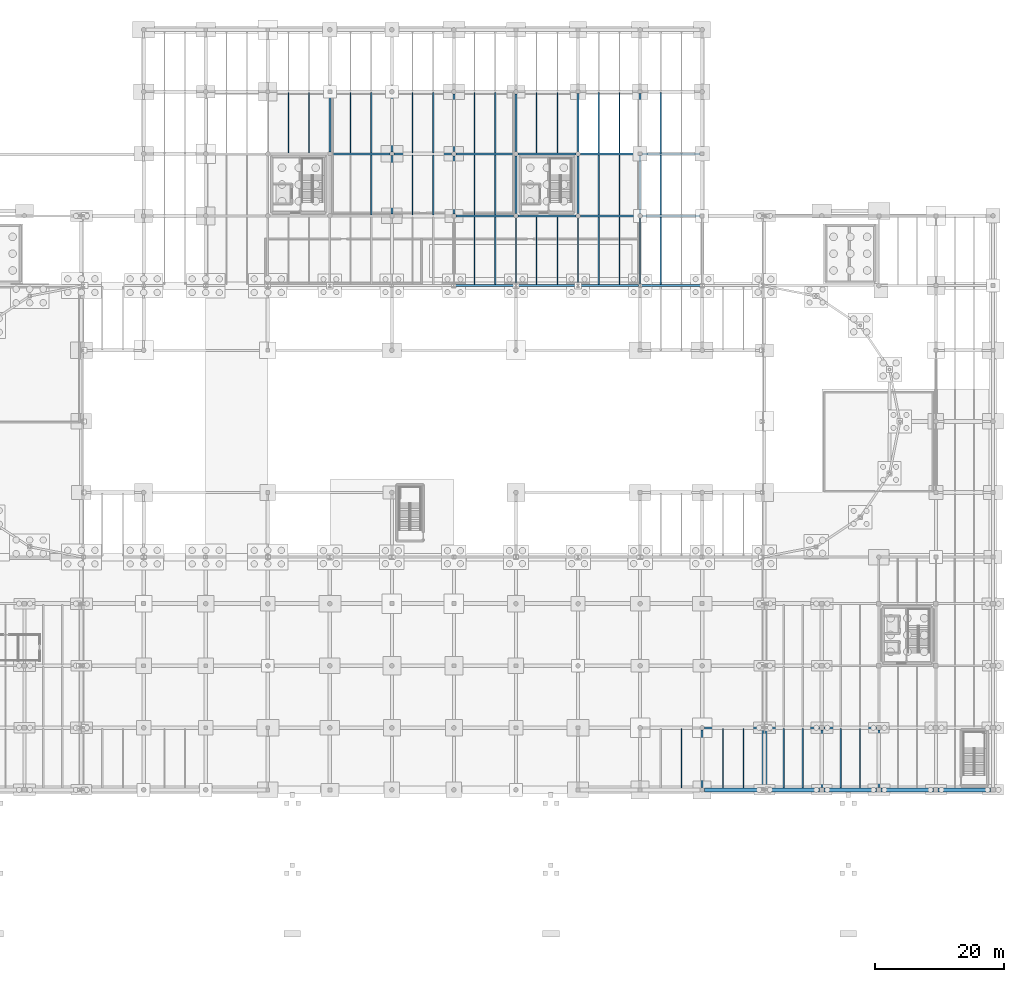
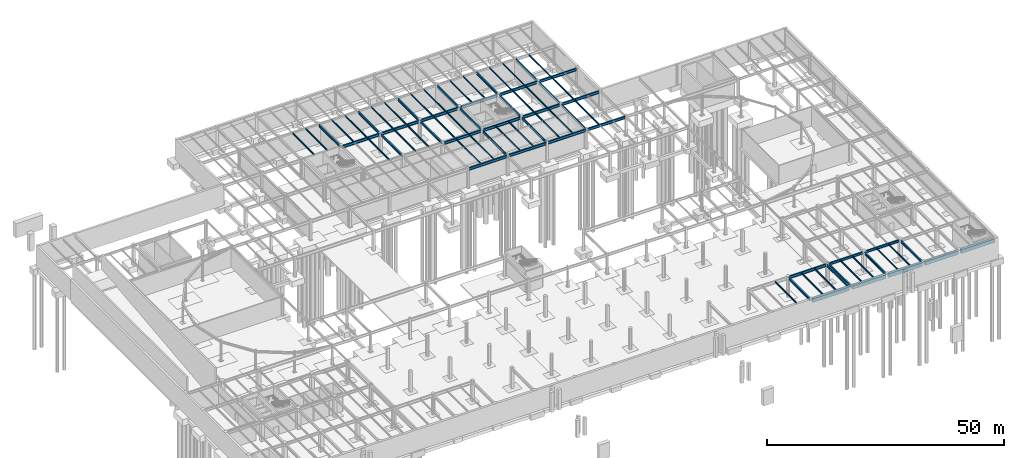
# One storey, part 34 of 50: 76 beams.
"""IFC4 building model written with IfcOpenShell, lengths in metres."""

from ifc_helpers import new_model, si_unit, direction, frame, origin, origin_2d, place, context, subcontext, project, spatial, rectangle, i_section, extrude, material, material_profile, profile_set, type_object, element, save


model = new_model("IFC4")

# Units and contexts
model_context = context("Model", 3, precision=1e-05, world=origin(), true_north=direction((0.0, 1.0)))
body_context = subcontext(model_context, "Body", "Model", "MODEL_VIEW")
ifc_project = project(units=[si_unit("LENGTHUNIT", "METRE"), si_unit("AREAUNIT", "SQUARE_METRE"), si_unit("VOLUMEUNIT", "CUBIC_METRE"), si_unit("PLANEANGLEUNIT", "RADIAN"), si_unit("MASSUNIT", "GRAM", prefix="KILO")], contexts=[model_context])

# Site, building, storey
site_placement = place(None, origin())
site = spatial("IfcSite", under=ifc_project, at=site_placement, CompositionType="ELEMENT")
building_placement = place(site_placement, origin())
building = spatial("IfcBuilding", under=site, at=building_placement, Name="Yeouljin Market Hall", CompositionType="ELEMENT")
storey_placement = place(building_placement, frame((0.0, 0.0, -5.39990234375)))
storey = spatial("IfcBuildingStorey", under=building, at=storey_placement, Name="B1", CompositionType="ELEMENT", Elevation=-5.39990234375)

# Beams
ifc_material_1 = material(Name="Steel SM355", Category="steel")
ifc_material_profile_1 = material_profile(ifc_material_1, i_section(OverallWidth=0.199951171875, OverallDepth=0.60009765625, WebThickness=0.010986328125, FlangeThickness=0.01708984375, FilletRadius=0.02197265625, at=origin_2d()), Name="H-600x200x11x17")
ifc_profile_set_1 = profile_set([ifc_material_profile_1], Name="Steel SM355")
beam_type_1 = type_object("IfcBeamType", Name="Beam_H-600x200x11x17", PredefinedType="BEAM", material=ifc_profile_set_1)
for number, where, z_axis, x_axis, name in (
    (1, (102.60009765625, 78.22509765625, 4.77978515625), (0.0, 1.0, 0.0), (-1.0, 0.0, 0.0), "Primary beam BM-L00-Y207"),
    (2, (112.199951171875, 78.22509765625, 4.77978515625), (0.0, 1.0, 0.0), (-1.0, 0.0, 0.0), "Primary beam BM-L00-Y212"),
    (3, (121.800048828125, 78.22509765625, 4.77978515625), (0.0, 1.0, 0.0), (-1.0, 0.0, 0.0), "Primary beam BM-L00-Y219"),
):
    element("IfcBeam", number, at=place(storey_placement, frame(where, z_axis=z_axis, x_axis=x_axis)), inside=storey, type_object=beam_type_1, Name=name, PredefinedType="BEAM", context=body_context, shape_type="SweptSolid", body=[
        extrude(i_section(OverallWidth=0.199951171875, OverallDepth=0.60009765625, WebThickness=0.010986328125, FlangeThickness=0.01708984375, FilletRadius=0.02197265625, at=origin_2d()), origin(), (0.0, 0.0, 1.0), 10.224853515625),
    ])
ifc_material_2 = material(Name="Steel SM355", Category="steel")
ifc_material_profile_2 = material_profile(ifc_material_2, i_section(OverallWidth=0.300048828125, OverallDepth=0.587890625, WebThickness=0.011962890625, FlangeThickness=0.02001953125, FilletRadius=0.02392578125, at=origin_2d()), Name="H-588x300x12x20")
ifc_profile_set_2 = profile_set([ifc_material_profile_2], Name="Steel SM355")
beam_type_2 = type_object("IfcBeamType", Name="Girder_H-588x300x12x20", PredefinedType="USERDEFINED", material=ifc_profile_set_2)
beam_1_placement = place(storey_placement, frame((141.445068359375, 9.60009765625, 4.85595703125), z_axis=(1.0, 0.0, 0.0), x_axis=(0.0, 1.0, 0.0)))
element("IfcBeam", 4, at=beam_1_placement, inside=storey, type_object=beam_type_2, Name="Primary girder GRD-L00-X023", ObjectType="GIRDER", PredefinedType="USERDEFINED", context=body_context, shape_type="SweptSolid", body=[
    extrude(i_section(OverallWidth=0.300048828125, OverallDepth=0.587890625, WebThickness=0.011962890625, FlangeThickness=0.02001953125, FilletRadius=0.02392578125, at=origin_2d()), origin(), (0.0, 0.0, 1.0), 8.114990234375),
])
beam_2_placement = place(storey_placement, frame((150.260009765625, 9.60009765625, 4.85595703125), z_axis=(1.0, 0.0, 0.0), x_axis=(0.0, 1.0, 0.0)))
element("IfcBeam", 5, at=beam_2_placement, inside=storey, type_object=beam_type_2, Name="Primary girder GRD-L00-X024", ObjectType="GIRDER", PredefinedType="USERDEFINED", context=body_context, shape_type="SweptSolid", body=[
    extrude(i_section(OverallWidth=0.300048828125, OverallDepth=0.587890625, WebThickness=0.011962890625, FlangeThickness=0.02001953125, FilletRadius=0.02392578125, at=origin_2d()), origin(), (0.0, 0.0, 1.0), 8.1298828125),
])
for number, where, z_axis, x_axis, name in (
    (6, (73.800048828125, 98.699951171875, 4.785888671875), (0.0, 1.0, 0.0), (-1.0, 0.0, 0.0), "Primary beam BM-L00-Y193"),
    (7, (83.39990234375, 89.10009765625, 4.785888671875), (0.0, 1.0, 0.0), (-1.0, 0.0, 0.0), "Primary beam BM-L00-Y198"),
):
    element("IfcBeam", number, at=place(storey_placement, frame(where, z_axis=z_axis, x_axis=x_axis)), inside=storey, type_object=beam_type_2, Name=name, ObjectType="GIRDER", PredefinedType="USERDEFINED", context=body_context, shape_type="SweptSolid", body=[
        extrude(i_section(OverallWidth=0.300048828125, OverallDepth=0.587890625, WebThickness=0.011962890625, FlangeThickness=0.02001953125, FilletRadius=0.02392578125, at=origin_2d()), origin(), (0.0, 0.0, 1.0), 9.0),
    ])
for number, where, z_axis, x_axis, name in (
    (8, (83.39990234375, 98.699951171875, 4.785888671875), (0.0, 1.0, 0.0), (-1.0, 0.0, 0.0), "Primary beam BM-L00-Y199"),
    (9, (93.0, 89.10009765625, 4.785888671875), (0.0, 1.0, 0.0), (-1.0, 0.0, 0.0), "Primary beam BM-L00-Y202"),
):
    element("IfcBeam", number, at=place(storey_placement, frame(where, z_axis=z_axis, x_axis=x_axis)), inside=storey, type_object=beam_type_2, Name=name, ObjectType="GIRDER", PredefinedType="USERDEFINED", context=body_context, shape_type="SweptSolid", body=[
        extrude(i_section(OverallWidth=0.300048828125, OverallDepth=0.587890625, WebThickness=0.011962890625, FlangeThickness=0.02001953125, FilletRadius=0.02392578125, at=origin_2d()), origin(), (0.0, 0.0, 1.0), 8.949951171875),
    ])
beam_3_placement = place(storey_placement, frame((93.0, 98.75, 4.785888671875), z_axis=(0.0, 1.0, 0.0), x_axis=(-1.0, 0.0, 0.0)))
element("IfcBeam", 10, at=beam_3_placement, inside=storey, type_object=beam_type_2, Name="Primary beam BM-L00-Y203", ObjectType="GIRDER", PredefinedType="USERDEFINED", context=body_context, shape_type="SweptSolid", body=[
    extrude(i_section(OverallWidth=0.300048828125, OverallDepth=0.587890625, WebThickness=0.011962890625, FlangeThickness=0.02001953125, FilletRadius=0.02392578125, at=origin_2d()), origin(), (0.0, 0.0, 1.0), 8.89990234375),
])
beam_4_placement = place(storey_placement, frame((102.60009765625, 89.14990234375, 4.785888671875), z_axis=(0.0, 1.0, 0.0), x_axis=(-1.0, 0.0, 0.0)))
element("IfcBeam", 11, at=beam_4_placement, inside=storey, type_object=beam_type_2, Name="Primary beam BM-L00-Y208", ObjectType="GIRDER", PredefinedType="USERDEFINED", context=body_context, shape_type="SweptSolid", body=[
    extrude(i_section(OverallWidth=0.300048828125, OverallDepth=0.587890625, WebThickness=0.011962890625, FlangeThickness=0.02001953125, FilletRadius=0.02392578125, at=origin_2d()), origin(), (0.0, 0.0, 1.0), 8.900146484375),
])
beam_5_placement = place(storey_placement, frame((102.60009765625, 98.75, 4.785888671875), z_axis=(0.0, 1.0, 0.0), x_axis=(-1.0, 0.0, 0.0)))
element("IfcBeam", 12, at=beam_5_placement, inside=storey, type_object=beam_type_2, Name="Primary beam BM-L00-Y209", ObjectType="GIRDER", PredefinedType="USERDEFINED", context=body_context, shape_type="SweptSolid", body=[
    extrude(i_section(OverallWidth=0.300048828125, OverallDepth=0.587890625, WebThickness=0.011962890625, FlangeThickness=0.02001953125, FilletRadius=0.02392578125, at=origin_2d()), origin(), (0.0, 0.0, 1.0), 8.89990234375),
])
beam_6_placement = place(storey_placement, frame((112.199951171875, 89.14990234375, 4.785888671875), z_axis=(0.0, 1.0, 0.0), x_axis=(-1.0, 0.0, 0.0)))
element("IfcBeam", 13, at=beam_6_placement, inside=storey, type_object=beam_type_2, Name="Primary beam BM-L00-Y213", ObjectType="GIRDER", PredefinedType="USERDEFINED", context=body_context, shape_type="SweptSolid", body=[
    extrude(i_section(OverallWidth=0.300048828125, OverallDepth=0.587890625, WebThickness=0.011962890625, FlangeThickness=0.02001953125, FilletRadius=0.02392578125, at=origin_2d()), origin(), (0.0, 0.0, 1.0), 8.900146484375),
])
beam_7_placement = place(storey_placement, frame((112.199951171875, 98.75, 4.785888671875), z_axis=(0.0, 1.0, 0.0), x_axis=(-1.0, 0.0, 0.0)))
element("IfcBeam", 14, at=beam_7_placement, inside=storey, type_object=beam_type_2, Name="Primary beam BM-L00-Y214", ObjectType="GIRDER", PredefinedType="USERDEFINED", context=body_context, shape_type="SweptSolid", body=[
    extrude(i_section(OverallWidth=0.300048828125, OverallDepth=0.587890625, WebThickness=0.011962890625, FlangeThickness=0.02001953125, FilletRadius=0.02392578125, at=origin_2d()), origin(), (0.0, 0.0, 1.0), 8.949951171875),
])
beam_8_placement = place(storey_placement, frame((121.800048828125, 89.14990234375, 4.785888671875), z_axis=(0.0, 1.0, 0.0), x_axis=(-1.0, 0.0, 0.0)))
element("IfcBeam", 15, at=beam_8_placement, inside=storey, type_object=beam_type_2, Name="Primary beam BM-L00-Y220", ObjectType="GIRDER", PredefinedType="USERDEFINED", context=body_context, shape_type="SweptSolid", body=[
    extrude(i_section(OverallWidth=0.300048828125, OverallDepth=0.587890625, WebThickness=0.011962890625, FlangeThickness=0.02001953125, FilletRadius=0.02392578125, at=origin_2d()), origin(), (0.0, 0.0, 1.0), 8.9501953125),
])
beam_9_placement = place(storey_placement, frame((121.800048828125, 98.699951171875, 4.785888671875), z_axis=(0.0, 1.0, 0.0), x_axis=(-1.0, 0.0, 0.0)))
element("IfcBeam", 16, at=beam_9_placement, inside=storey, type_object=beam_type_2, Name="Primary beam BM-L00-Y221", ObjectType="GIRDER", PredefinedType="USERDEFINED", context=body_context, shape_type="SweptSolid", body=[
    extrude(i_section(OverallWidth=0.300048828125, OverallDepth=0.587890625, WebThickness=0.011962890625, FlangeThickness=0.02001953125, FilletRadius=0.02392578125, at=origin_2d()), origin(), (0.0, 0.0, 1.0), 9.0),
])
beam_10_placement = place(storey_placement, frame((131.39990234375, 0.35009765625, 4.865966796875), z_axis=(0.0, 1.0, 0.0), x_axis=(-1.0, 0.0, 0.0)))
element("IfcBeam", 17, at=beam_10_placement, inside=storey, type_object=beam_type_2, Name="Primary beam BM-L00-Y223", ObjectType="GIRDER", PredefinedType="USERDEFINED", context=body_context, shape_type="SweptSolid", body=[
    extrude(i_section(OverallWidth=0.300048828125, OverallDepth=0.587890625, WebThickness=0.011962890625, FlangeThickness=0.02001953125, FilletRadius=0.02392578125, at=origin_2d()), origin(), (0.0, 0.0, 1.0), 8.89990234375),
])
for number, where, z_axis, x_axis, name in (
    (18, (140.81005859375, 0.175048828125, 4.85595703125), (0.0, 1.0, 0.0), (-1.0, 0.0, 0.0), "Primary beam BM-L00-Y230"),
    (19, (141.27001953125, 0.175048828125, 4.85595703125), (0.0, 1.0, 0.0), (-1.0, 0.0, 0.0), "Primary beam BM-L00-Y239"),
):
    element("IfcBeam", number, at=place(storey_placement, frame(where, z_axis=z_axis, x_axis=x_axis)), inside=storey, type_object=beam_type_2, Name=name, ObjectType="GIRDER", PredefinedType="USERDEFINED", context=body_context, shape_type="SweptSolid", body=[
        extrude(i_section(OverallWidth=0.300048828125, OverallDepth=0.587890625, WebThickness=0.011962890625, FlangeThickness=0.02001953125, FilletRadius=0.02392578125, at=origin_2d()), origin(), (0.0, 0.0, 1.0), 9.25),
    ])
for number, where, z_axis, x_axis, name in (
    (20, (149.909912109375, 0.35009765625, 4.85595703125), (0.0, 1.0, 0.0), (-1.0, 0.0, 0.0), "Primary beam BM-L00-Y242"),
    (21, (158.739990234375, 0.35009765625, 4.85595703125), (0.0, 1.0, 0.0), (-1.0, 0.0, 0.0), "Primary beam BM-L00-Y245"),
):
    element("IfcBeam", number, at=place(storey_placement, frame(where, z_axis=z_axis, x_axis=x_axis)), inside=storey, type_object=beam_type_2, Name=name, ObjectType="GIRDER", PredefinedType="USERDEFINED", context=body_context, shape_type="SweptSolid", body=[
        extrude(i_section(OverallWidth=0.300048828125, OverallDepth=0.587890625, WebThickness=0.011962890625, FlangeThickness=0.02001953125, FilletRadius=0.02392578125, at=origin_2d()), origin(), (0.0, 0.0, 1.0), 8.89990234375),
    ])
ifc_material_3 = material(Name="Steel SM355", Category="steel")
ifc_material_profile_3 = material_profile(ifc_material_3, i_section(OverallWidth=0.300048828125, OverallDepth=0.699951171875, WebThickness=0.012939453125, FlangeThickness=0.02392578125, FilletRadius=0.02587890625, at=origin_2d()), Name="H-700x300x13x24")
ifc_profile_set_3 = profile_set([ifc_material_profile_3], Name="Steel SM355")
beam_type_3 = type_object("IfcBeamType", Name="Girder_H-700x300x13x24", PredefinedType="USERDEFINED", material=ifc_profile_set_3)
beam_11_placement = place(storey_placement, frame((131.75, 9.60009765625, 4.809814453125), z_axis=(1.0, 0.0, 0.0), x_axis=(0.0, 1.0, 0.0)))
element("IfcBeam", 22, at=beam_11_placement, inside=storey, type_object=beam_type_3, Name="Primary girder GRD-L00-X022", ObjectType="GIRDER", PredefinedType="USERDEFINED", context=body_context, shape_type="SweptSolid", body=[
    extrude(i_section(OverallWidth=0.300048828125, OverallDepth=0.699951171875, WebThickness=0.012939453125, FlangeThickness=0.02392578125, FilletRadius=0.02587890625, at=origin_2d()), origin(), (0.0, 0.0, 1.0), 8.885009765625),
])
beam_12_placement = place(storey_placement, frame((93.22509765625, 78.0, 4.72998046875), z_axis=(1.0, 0.0, 0.0), x_axis=(0.0, 1.0, 0.0)))
element("IfcBeam", 23, at=beam_12_placement, inside=storey, type_object=beam_type_3, Name="Primary girder GRD-L00-X084", ObjectType="GIRDER", PredefinedType="USERDEFINED", context=body_context, shape_type="SweptSolid", body=[
    extrude(i_section(OverallWidth=0.300048828125, OverallDepth=0.699951171875, WebThickness=0.012939453125, FlangeThickness=0.02392578125, FilletRadius=0.02587890625, at=origin_2d()), origin(), (0.0, 0.0, 1.0), 9.14990234375),
])
beam_13_placement = place(storey_placement, frame((102.824951171875, 78.0, 4.72998046875), z_axis=(1.0, 0.0, 0.0), x_axis=(0.0, 1.0, 0.0)))
element("IfcBeam", 24, at=beam_13_placement, inside=storey, type_object=beam_type_3, Name="Primary girder GRD-L00-X085", ObjectType="GIRDER", PredefinedType="USERDEFINED", context=body_context, shape_type="SweptSolid", body=[
    extrude(i_section(OverallWidth=0.300048828125, OverallDepth=0.699951171875, WebThickness=0.012939453125, FlangeThickness=0.02392578125, FilletRadius=0.02587890625, at=origin_2d()), origin(), (0.0, 0.0, 1.0), 9.150146484375),
])
beam_14_placement = place(storey_placement, frame((112.425048828125, 78.0, 4.72998046875), z_axis=(1.0, 0.0, 0.0), x_axis=(0.0, 1.0, 0.0)))
element("IfcBeam", 25, at=beam_14_placement, inside=storey, type_object=beam_type_3, Name="Primary girder GRD-L00-X086", ObjectType="GIRDER", PredefinedType="USERDEFINED", context=body_context, shape_type="SweptSolid", body=[
    extrude(i_section(OverallWidth=0.300048828125, OverallDepth=0.699951171875, WebThickness=0.012939453125, FlangeThickness=0.02392578125, FilletRadius=0.02587890625, at=origin_2d()), origin(), (0.0, 0.0, 1.0), 9.14990234375),
])
beam_15_placement = place(storey_placement, frame((122.02490234375, 78.0, 4.72998046875), z_axis=(1.0, 0.0, 0.0), x_axis=(0.0, 1.0, 0.0)))
element("IfcBeam", 26, at=beam_15_placement, inside=storey, type_object=beam_type_3, Name="Primary girder GRD-L00-X087", ObjectType="GIRDER", PredefinedType="USERDEFINED", context=body_context, shape_type="SweptSolid", body=[
    extrude(i_section(OverallWidth=0.300048828125, OverallDepth=0.699951171875, WebThickness=0.012939453125, FlangeThickness=0.02392578125, FilletRadius=0.02587890625, at=origin_2d()), origin(), (0.0, 0.0, 1.0), 9.150146484375),
])
beam_16_placement = place(storey_placement, frame((93.300048828125, 88.800048828125, 4.72998046875), z_axis=(1.0, 0.0, 0.0), x_axis=(0.0, 1.0, 0.0)))
element("IfcBeam", 27, at=beam_16_placement, inside=storey, type_object=beam_type_3, Name="Primary girder GRD-L00-X101", ObjectType="GIRDER", PredefinedType="USERDEFINED", context=body_context, shape_type="SweptSolid", body=[
    extrude(i_section(OverallWidth=0.300048828125, OverallDepth=0.699951171875, WebThickness=0.012939453125, FlangeThickness=0.02392578125, FilletRadius=0.02587890625, at=origin_2d()), origin(), (0.0, 0.0, 1.0), 8.949951171875),
])
beam_17_placement = place(storey_placement, frame((102.949951171875, 88.800048828125, 4.72998046875), z_axis=(1.0, 0.0, 0.0), x_axis=(0.0, 1.0, 0.0)))
element("IfcBeam", 28, at=beam_17_placement, inside=storey, type_object=beam_type_3, Name="Primary girder GRD-L00-X102", ObjectType="GIRDER", PredefinedType="USERDEFINED", context=body_context, shape_type="SweptSolid", body=[
    extrude(i_section(OverallWidth=0.300048828125, OverallDepth=0.699951171875, WebThickness=0.012939453125, FlangeThickness=0.02392578125, FilletRadius=0.02587890625, at=origin_2d()), origin(), (0.0, 0.0, 1.0), 8.900146484375),
])
beam_18_placement = place(storey_placement, frame((112.550048828125, 88.800048828125, 4.72998046875), z_axis=(1.0, 0.0, 0.0), x_axis=(0.0, 1.0, 0.0)))
element("IfcBeam", 29, at=beam_18_placement, inside=storey, type_object=beam_type_3, Name="Primary girder GRD-L00-X103", ObjectType="GIRDER", PredefinedType="USERDEFINED", context=body_context, shape_type="SweptSolid", body=[
    extrude(i_section(OverallWidth=0.300048828125, OverallDepth=0.699951171875, WebThickness=0.012939453125, FlangeThickness=0.02392578125, FilletRadius=0.02587890625, at=origin_2d()), origin(), (0.0, 0.0, 1.0), 8.89990234375),
])
beam_19_placement = place(storey_placement, frame((122.14990234375, 88.800048828125, 4.72998046875), z_axis=(1.0, 0.0, 0.0), x_axis=(0.0, 1.0, 0.0)))
element("IfcBeam", 30, at=beam_19_placement, inside=storey, type_object=beam_type_3, Name="Primary girder GRD-L00-X104", ObjectType="GIRDER", PredefinedType="USERDEFINED", context=body_context, shape_type="SweptSolid", body=[
    extrude(i_section(OverallWidth=0.300048828125, OverallDepth=0.699951171875, WebThickness=0.012939453125, FlangeThickness=0.02392578125, FilletRadius=0.02587890625, at=origin_2d()), origin(), (0.0, 0.0, 1.0), 8.9501953125),
])
beam_20_placement = place(storey_placement, frame((74.10009765625, 98.39990234375, 4.72998046875), z_axis=(1.0, 0.0, 0.0), x_axis=(0.0, 1.0, 0.0)))
element("IfcBeam", 31, at=beam_20_placement, inside=storey, type_object=beam_type_3, Name="Primary girder GRD-L00-X113", ObjectType="GIRDER", PredefinedType="USERDEFINED", context=body_context, shape_type="SweptSolid", body=[
    extrude(i_section(OverallWidth=0.300048828125, OverallDepth=0.699951171875, WebThickness=0.012939453125, FlangeThickness=0.02392578125, FilletRadius=0.02587890625, at=origin_2d()), origin(), (0.0, 0.0, 1.0), 9.0),
])
beam_21_placement = place(storey_placement, frame((83.699951171875, 98.39990234375, 4.72998046875), z_axis=(1.0, 0.0, 0.0), x_axis=(0.0, 1.0, 0.0)))
element("IfcBeam", 32, at=beam_21_placement, inside=storey, type_object=beam_type_3, Name="Primary girder GRD-L00-X114", ObjectType="GIRDER", PredefinedType="USERDEFINED", context=body_context, shape_type="SweptSolid", body=[
    extrude(i_section(OverallWidth=0.300048828125, OverallDepth=0.699951171875, WebThickness=0.012939453125, FlangeThickness=0.02392578125, FilletRadius=0.02587890625, at=origin_2d()), origin(), (0.0, 0.0, 1.0), 8.949951171875),
])
beam_22_placement = place(storey_placement, frame((93.35009765625, 98.39990234375, 4.72998046875), z_axis=(1.0, 0.0, 0.0), x_axis=(0.0, 1.0, 0.0)))
element("IfcBeam", 33, at=beam_22_placement, inside=storey, type_object=beam_type_3, Name="Primary girder GRD-L00-X115", ObjectType="GIRDER", PredefinedType="USERDEFINED", context=body_context, shape_type="SweptSolid", body=[
    extrude(i_section(OverallWidth=0.300048828125, OverallDepth=0.699951171875, WebThickness=0.012939453125, FlangeThickness=0.02392578125, FilletRadius=0.02587890625, at=origin_2d()), origin(), (0.0, 0.0, 1.0), 8.89990234375),
])
beam_23_placement = place(storey_placement, frame((102.949951171875, 98.39990234375, 4.72998046875), z_axis=(1.0, 0.0, 0.0), x_axis=(0.0, 1.0, 0.0)))
element("IfcBeam", 34, at=beam_23_placement, inside=storey, type_object=beam_type_3, Name="Primary girder GRD-L00-X116", ObjectType="GIRDER", PredefinedType="USERDEFINED", context=body_context, shape_type="SweptSolid", body=[
    extrude(i_section(OverallWidth=0.300048828125, OverallDepth=0.699951171875, WebThickness=0.012939453125, FlangeThickness=0.02392578125, FilletRadius=0.02587890625, at=origin_2d()), origin(), (0.0, 0.0, 1.0), 8.900146484375),
])
beam_24_placement = place(storey_placement, frame((112.550048828125, 98.39990234375, 4.72998046875), z_axis=(1.0, 0.0, 0.0), x_axis=(0.0, 1.0, 0.0)))
element("IfcBeam", 35, at=beam_24_placement, inside=storey, type_object=beam_type_3, Name="Primary girder GRD-L00-X117", ObjectType="GIRDER", PredefinedType="USERDEFINED", context=body_context, shape_type="SweptSolid", body=[
    extrude(i_section(OverallWidth=0.300048828125, OverallDepth=0.699951171875, WebThickness=0.012939453125, FlangeThickness=0.02392578125, FilletRadius=0.02587890625, at=origin_2d()), origin(), (0.0, 0.0, 1.0), 8.949951171875),
])
beam_25_placement = place(storey_placement, frame((122.10009765625, 98.39990234375, 4.72998046875), z_axis=(1.0, 0.0, 0.0), x_axis=(0.0, 1.0, 0.0)))
element("IfcBeam", 36, at=beam_25_placement, inside=storey, type_object=beam_type_3, Name="Primary girder GRD-L00-X118", ObjectType="GIRDER", PredefinedType="USERDEFINED", context=body_context, shape_type="SweptSolid", body=[
    extrude(i_section(OverallWidth=0.300048828125, OverallDepth=0.699951171875, WebThickness=0.012939453125, FlangeThickness=0.02392578125, FilletRadius=0.02587890625, at=origin_2d()), origin(), (0.0, 0.0, 1.0), 9.0),
])
ifc_material_4 = material(Name="Concrete C35/45", Category="concrete")
ifc_material_profile_4 = material_profile(ifc_material_4, rectangle(XDim=0.60009765625, YDim=0.89990234375, at=origin_2d()), Name="RC-600x900")
ifc_profile_set_4 = profile_set([ifc_material_profile_4], Name="Concrete C35/45")
beam_type_4 = type_object("IfcBeamType", Name="Girder_RC-600x900", PredefinedType="USERDEFINED", material=ifc_profile_set_4)
beam_26_placement = place(storey_placement, frame((131.75, 0.0, 4.7099609375), z_axis=(1.0, 0.0, 0.0), x_axis=(0.0, 1.0, 0.0)))
element("IfcBeam", 37, at=beam_26_placement, inside=storey, type_object=beam_type_4, Name="Primary girder GRD-L00-X010", ObjectType="GIRDER", PredefinedType="USERDEFINED", context=body_context, shape_type="SweptSolid", body=[
    extrude(rectangle(XDim=0.60009765625, YDim=0.89990234375, at=origin_2d()), origin(), (0.0, 0.0, 1.0), 8.885009765625),
])
beam_27_placement = place(storey_placement, frame((141.445068359375, 0.0, 4.699951171875), z_axis=(1.0, 0.0, 0.0), x_axis=(0.0, 1.0, 0.0)))
element("IfcBeam", 38, at=beam_27_placement, inside=storey, type_object=beam_type_4, Name="Primary girder GRD-L00-X011", ObjectType="GIRDER", PredefinedType="USERDEFINED", context=body_context, shape_type="SweptSolid", body=[
    extrude(rectangle(XDim=0.60009765625, YDim=0.89990234375, at=origin_2d()), origin(), (0.0, 0.0, 1.0), 8.114990234375),
])
for number, where, z_axis, x_axis, name in (
    (39, (150.260009765625, 0.0, 4.699951171875), (1.0, 0.0, 0.0), (0.0, 1.0, 0.0), "Primary girder GRD-L00-X012"),
    (40, (159.090087890625, 0.0, 4.699951171875), (1.0, 0.0, 0.0), (0.0, 1.0, 0.0), "Primary girder GRD-L00-X013"),
):
    element("IfcBeam", number, at=place(storey_placement, frame(where, z_axis=z_axis, x_axis=x_axis)), inside=storey, type_object=beam_type_4, Name=name, ObjectType="GIRDER", PredefinedType="USERDEFINED", context=body_context, shape_type="SweptSolid", body=[
        extrude(rectangle(XDim=0.60009765625, YDim=0.89990234375, at=origin_2d()), origin(), (0.0, 0.0, 1.0), 8.1298828125),
    ])
beam_28_placement = place(storey_placement, frame((167.919921875, 0.0, 4.699951171875), z_axis=(1.0, 0.0, 0.0), x_axis=(0.0, 1.0, 0.0)))
element("IfcBeam", 41, at=beam_28_placement, inside=storey, type_object=beam_type_4, Name="Primary girder GRD-L00-X014", ObjectType="GIRDER", PredefinedType="USERDEFINED", context=body_context, shape_type="SweptSolid", body=[
    extrude(rectangle(XDim=0.60009765625, YDim=0.89990234375, at=origin_2d()), origin(), (0.0, 0.0, 1.0), 8.130126953125),
])
ifc_material_5 = material(Name="Steel SM355", Category="steel")
ifc_material_profile_5 = material_profile(ifc_material_5, i_section(OverallWidth=0.175048828125, OverallDepth=0.35009765625, WebThickness=0.007080078125, FlangeThickness=0.010986328125, FilletRadius=0.013916015625, at=origin_2d()), Name="H-350x175x7x11")
ifc_profile_set_5 = profile_set([ifc_material_profile_5], Name="Steel SM355")
beam_type_5 = type_object("IfcBeamType", Name="Joist_H-350x175x7x11", PredefinedType="JOIST", material=ifc_profile_set_5)
for number, where, z_axis, x_axis, name in (
    (42, (67.39990234375, 98.547119140625, 4.90478515625), (0.0, 1.0, 0.0), (-1.0, 0.0, 0.0), "Secondary floor joist L00-057"),
    (43, (70.60009765625, 98.547119140625, 4.90478515625), (0.0, 1.0, 0.0), (-1.0, 0.0, 0.0), "Secondary floor joist L00-058"),
    (44, (80.199951171875, 88.947021484375, 4.90478515625), (0.0, 1.0, 0.0), (-1.0, 0.0, 0.0), "Secondary floor joist L00-064"),
    (45, (77.0, 98.547119140625, 4.90478515625), (0.0, 1.0, 0.0), (-1.0, 0.0, 0.0), "Secondary floor joist L00-065"),
    (46, (80.199951171875, 98.547119140625, 4.90478515625), (0.0, 1.0, 0.0), (-1.0, 0.0, 0.0), "Secondary floor joist L00-066"),
    (47, (86.60009765625, 88.947021484375, 4.90478515625), (0.0, 1.0, 0.0), (-1.0, 0.0, 0.0), "Secondary floor joist L00-071"),
    (48, (89.800048828125, 88.947021484375, 4.90478515625), (0.0, 1.0, 0.0), (-1.0, 0.0, 0.0), "Secondary floor joist L00-072"),
    (49, (86.60009765625, 98.547119140625, 4.90478515625), (0.0, 1.0, 0.0), (-1.0, 0.0, 0.0), "Secondary floor joist L00-073"),
    (50, (89.800048828125, 98.547119140625, 4.90478515625), (0.0, 1.0, 0.0), (-1.0, 0.0, 0.0), "Secondary floor joist L00-074"),
):
    element("IfcBeam", number, at=place(storey_placement, frame(where, z_axis=z_axis, x_axis=x_axis)), inside=storey, type_object=beam_type_5, Name=name, PredefinedType="JOIST", context=body_context, shape_type="SweptSolid", body=[
        extrude(i_section(OverallWidth=0.175048828125, OverallDepth=0.35009765625, WebThickness=0.007080078125, FlangeThickness=0.010986328125, FilletRadius=0.013916015625, at=origin_2d()), origin(), (0.0, 0.0, 1.0), 9.305908203125),
    ])
for number, where, z_axis, x_axis, name in (
    (51, (96.199951171875, 78.14697265625, 4.90478515625), (0.0, 1.0, 0.0), (-1.0, 0.0, 0.0), "Secondary floor joist L00-077"),
    (52, (99.39990234375, 78.14697265625, 4.90478515625), (0.0, 1.0, 0.0), (-1.0, 0.0, 0.0), "Secondary floor joist L00-078"),
):
    element("IfcBeam", number, at=place(storey_placement, frame(where, z_axis=z_axis, x_axis=x_axis)), inside=storey, type_object=beam_type_5, Name=name, PredefinedType="JOIST", context=body_context, shape_type="SweptSolid", body=[
        extrude(i_section(OverallWidth=0.175048828125, OverallDepth=0.35009765625, WebThickness=0.007080078125, FlangeThickness=0.010986328125, FilletRadius=0.013916015625, at=origin_2d()), origin(), (0.0, 0.0, 1.0), 10.506103515625),
    ])
for number, where, z_axis, x_axis, name in (
    (53, (96.199951171875, 88.947021484375, 4.90478515625), (0.0, 1.0, 0.0), (-1.0, 0.0, 0.0), "Secondary floor joist L00-079"),
    (54, (99.39990234375, 88.947021484375, 4.90478515625), (0.0, 1.0, 0.0), (-1.0, 0.0, 0.0), "Secondary floor joist L00-080"),
    (55, (96.199951171875, 98.547119140625, 4.90478515625), (0.0, 1.0, 0.0), (-1.0, 0.0, 0.0), "Secondary floor joist L00-081"),
    (56, (99.39990234375, 98.547119140625, 4.90478515625), (0.0, 1.0, 0.0), (-1.0, 0.0, 0.0), "Secondary floor joist L00-082"),
):
    element("IfcBeam", number, at=place(storey_placement, frame(where, z_axis=z_axis, x_axis=x_axis)), inside=storey, type_object=beam_type_5, Name=name, PredefinedType="JOIST", context=body_context, shape_type="SweptSolid", body=[
        extrude(i_section(OverallWidth=0.175048828125, OverallDepth=0.35009765625, WebThickness=0.007080078125, FlangeThickness=0.010986328125, FilletRadius=0.013916015625, at=origin_2d()), origin(), (0.0, 0.0, 1.0), 9.305908203125),
    ])
for number, where, z_axis, x_axis, name in (
    (57, (105.800048828125, 78.14697265625, 4.90478515625), (0.0, 1.0, 0.0), (-1.0, 0.0, 0.0), "Secondary floor joist L00-085"),
    (58, (109.0, 78.14697265625, 4.90478515625), (0.0, 1.0, 0.0), (-1.0, 0.0, 0.0), "Secondary floor joist L00-086"),
):
    element("IfcBeam", number, at=place(storey_placement, frame(where, z_axis=z_axis, x_axis=x_axis)), inside=storey, type_object=beam_type_5, Name=name, PredefinedType="JOIST", context=body_context, shape_type="SweptSolid", body=[
        extrude(i_section(OverallWidth=0.175048828125, OverallDepth=0.35009765625, WebThickness=0.007080078125, FlangeThickness=0.010986328125, FilletRadius=0.013916015625, at=origin_2d()), origin(), (0.0, 0.0, 1.0), 10.506103515625),
    ])
for number, where, z_axis, x_axis, name in (
    (59, (105.800048828125, 98.547119140625, 4.90478515625), (0.0, 1.0, 0.0), (-1.0, 0.0, 0.0), "Secondary floor joist L00-087"),
    (60, (109.0, 98.547119140625, 4.90478515625), (0.0, 1.0, 0.0), (-1.0, 0.0, 0.0), "Secondary floor joist L00-088"),
):
    element("IfcBeam", number, at=place(storey_placement, frame(where, z_axis=z_axis, x_axis=x_axis)), inside=storey, type_object=beam_type_5, Name=name, PredefinedType="JOIST", context=body_context, shape_type="SweptSolid", body=[
        extrude(i_section(OverallWidth=0.175048828125, OverallDepth=0.35009765625, WebThickness=0.007080078125, FlangeThickness=0.010986328125, FilletRadius=0.013916015625, at=origin_2d()), origin(), (0.0, 0.0, 1.0), 9.305908203125),
    ])
for number, where, z_axis, x_axis, name in (
    (61, (115.39990234375, 78.14697265625, 4.90478515625), (0.0, 1.0, 0.0), (-1.0, 0.0, 0.0), "Secondary floor joist L00-091"),
    (62, (118.60009765625, 78.14697265625, 4.90478515625), (0.0, 1.0, 0.0), (-1.0, 0.0, 0.0), "Secondary floor joist L00-092"),
):
    element("IfcBeam", number, at=place(storey_placement, frame(where, z_axis=z_axis, x_axis=x_axis)), inside=storey, type_object=beam_type_5, Name=name, PredefinedType="JOIST", context=body_context, shape_type="SweptSolid", body=[
        extrude(i_section(OverallWidth=0.175048828125, OverallDepth=0.35009765625, WebThickness=0.007080078125, FlangeThickness=0.010986328125, FilletRadius=0.013916015625, at=origin_2d()), origin(), (0.0, 0.0, 1.0), 10.506103515625),
    ])
for number, where, z_axis, x_axis, name in (
    (63, (115.39990234375, 88.947021484375, 4.90478515625), (0.0, 1.0, 0.0), (-1.0, 0.0, 0.0), "Secondary floor joist L00-093"),
    (64, (118.60009765625, 88.947021484375, 4.90478515625), (0.0, 1.0, 0.0), (-1.0, 0.0, 0.0), "Secondary floor joist L00-094"),
    (65, (115.39990234375, 98.547119140625, 4.90478515625), (0.0, 1.0, 0.0), (-1.0, 0.0, 0.0), "Secondary floor joist L00-095"),
    (66, (118.60009765625, 98.547119140625, 4.90478515625), (0.0, 1.0, 0.0), (-1.0, 0.0, 0.0), "Secondary floor joist L00-096"),
):
    element("IfcBeam", number, at=place(storey_placement, frame(where, z_axis=z_axis, x_axis=x_axis)), inside=storey, type_object=beam_type_5, Name=name, PredefinedType="JOIST", context=body_context, shape_type="SweptSolid", body=[
        extrude(i_section(OverallWidth=0.175048828125, OverallDepth=0.35009765625, WebThickness=0.007080078125, FlangeThickness=0.010986328125, FilletRadius=0.013916015625, at=origin_2d()), origin(), (0.0, 0.0, 1.0), 9.305908203125),
    ])
beam_29_placement = place(storey_placement, frame((128.199951171875, 0.297119140625, 4.98486328125), z_axis=(0.0, 1.0, 0.0), x_axis=(-1.0, 0.0, 0.0)))
element("IfcBeam", 67, at=beam_29_placement, inside=storey, type_object=beam_type_5, Name="Secondary floor joist L00-100", PredefinedType="JOIST", context=body_context, shape_type="SweptSolid", body=[
    extrude(i_section(OverallWidth=0.175048828125, OverallDepth=0.35009765625, WebThickness=0.007080078125, FlangeThickness=0.010986328125, FilletRadius=0.013916015625, at=origin_2d()), origin(), (0.0, 0.0, 1.0), 9.15576171875),
])
beam_30_placement = place(storey_placement, frame((125.0, 78.14697265625, 4.90478515625), z_axis=(0.0, 1.0, 0.0), x_axis=(-1.0, 0.0, 0.0)))
element("IfcBeam", 68, at=beam_30_placement, inside=storey, type_object=beam_type_5, Name="Secondary floor joist L00-105", PredefinedType="JOIST", context=body_context, shape_type="SweptSolid", body=[
    extrude(i_section(OverallWidth=0.175048828125, OverallDepth=0.35009765625, WebThickness=0.007080078125, FlangeThickness=0.010986328125, FilletRadius=0.013916015625, at=origin_2d()), origin(), (0.0, 0.0, 1.0), 10.506103515625),
])
beam_31_placement = place(storey_placement, frame((125.0, 88.947021484375, 4.90478515625), z_axis=(0.0, 1.0, 0.0), x_axis=(-1.0, 0.0, 0.0)))
element("IfcBeam", 69, at=beam_31_placement, inside=storey, type_object=beam_type_5, Name="Secondary floor joist L00-107", PredefinedType="JOIST", context=body_context, shape_type="SweptSolid", body=[
    extrude(i_section(OverallWidth=0.175048828125, OverallDepth=0.35009765625, WebThickness=0.007080078125, FlangeThickness=0.010986328125, FilletRadius=0.013916015625, at=origin_2d()), origin(), (0.0, 0.0, 1.0), 9.305908203125),
])
beam_32_placement = place(storey_placement, frame((125.0, 98.406005859375, 4.885009765625), z_axis=(0.0, 1.0, 0.0), x_axis=(-1.0, 0.0, 0.0)))
element("IfcBeam", 70, at=beam_32_placement, inside=storey, type_object=beam_type_5, Name="Secondary floor joist L00-109", PredefinedType="JOIST", context=body_context, shape_type="SweptSolid", body=[
    extrude(i_section(OverallWidth=0.175048828125, OverallDepth=0.35009765625, WebThickness=0.007080078125, FlangeThickness=0.010986328125, FilletRadius=0.013916015625, at=origin_2d()), origin(), (0.0, 0.0, 1.0), 9.447021484375),
])
for number, where, z_axis, x_axis, name in (
    (71, (134.60009765625, 0.297119140625, 4.98486328125), (0.0, 1.0, 0.0), (-1.0, 0.0, 0.0), "Secondary floor joist L00-113"),
    (72, (137.800048828125, 0.297119140625, 4.98486328125), (0.0, 1.0, 0.0), (-1.0, 0.0, 0.0), "Secondary floor joist L00-114"),
    (73, (144.023193359375, 0.297119140625, 4.974853515625), (0.0, 1.0, 0.0), (-1.0, 0.0, 0.0), "Secondary floor joist L00-119"),
    (74, (146.966796875, 0.297119140625, 4.974853515625), (0.0, 1.0, 0.0), (-1.0, 0.0, 0.0), "Secondary floor joist L00-120"),
    (75, (152.853271484375, 0.297119140625, 4.974853515625), (0.0, 1.0, 0.0), (-1.0, 0.0, 0.0), "Secondary floor joist L00-125"),
    (76, (155.796630859375, 0.297119140625, 4.974853515625), (0.0, 1.0, 0.0), (-1.0, 0.0, 0.0), "Secondary floor joist L00-126"),
):
    element("IfcBeam", number, at=place(storey_placement, frame(where, z_axis=z_axis, x_axis=x_axis)), inside=storey, type_object=beam_type_5, Name=name, PredefinedType="JOIST", context=body_context, shape_type="SweptSolid", body=[
        extrude(i_section(OverallWidth=0.175048828125, OverallDepth=0.35009765625, WebThickness=0.007080078125, FlangeThickness=0.010986328125, FilletRadius=0.013916015625, at=origin_2d()), origin(), (0.0, 0.0, 1.0), 9.15576171875),
    ])

save(model, "model.ifc")
